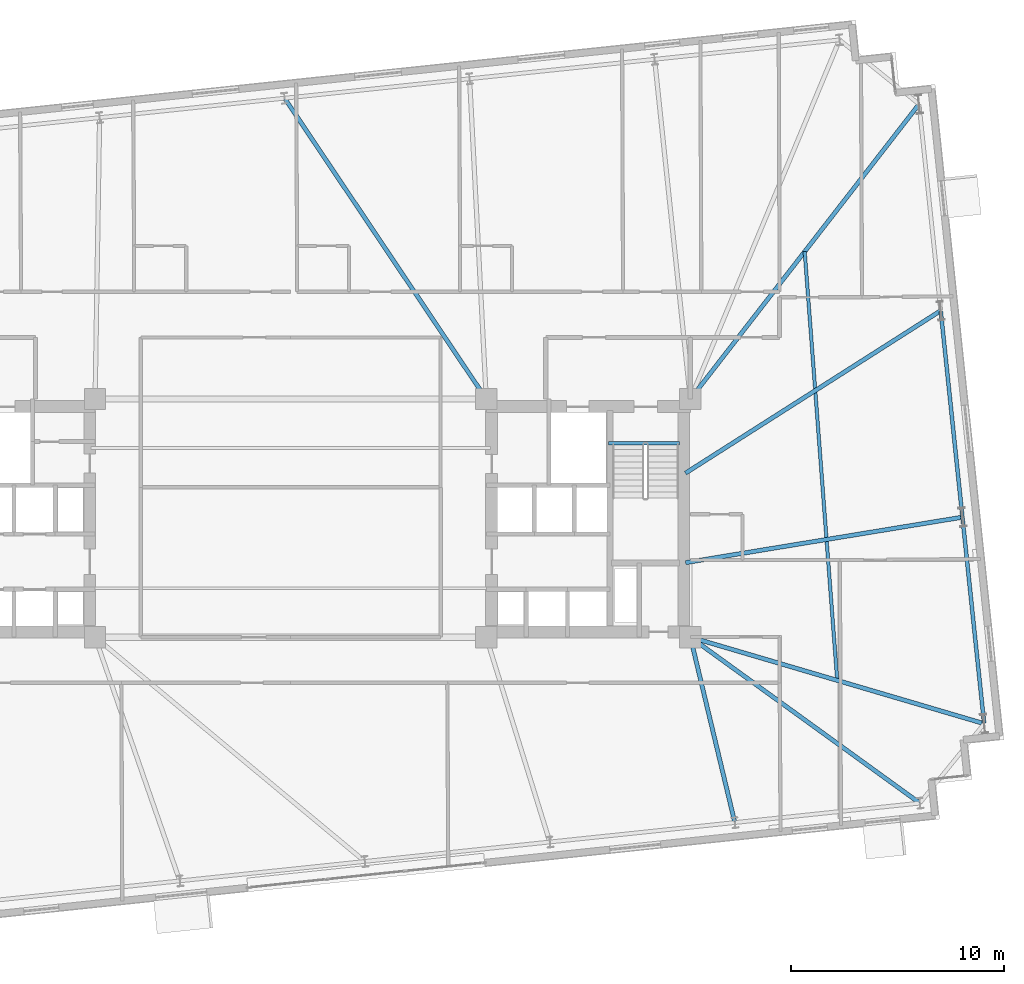
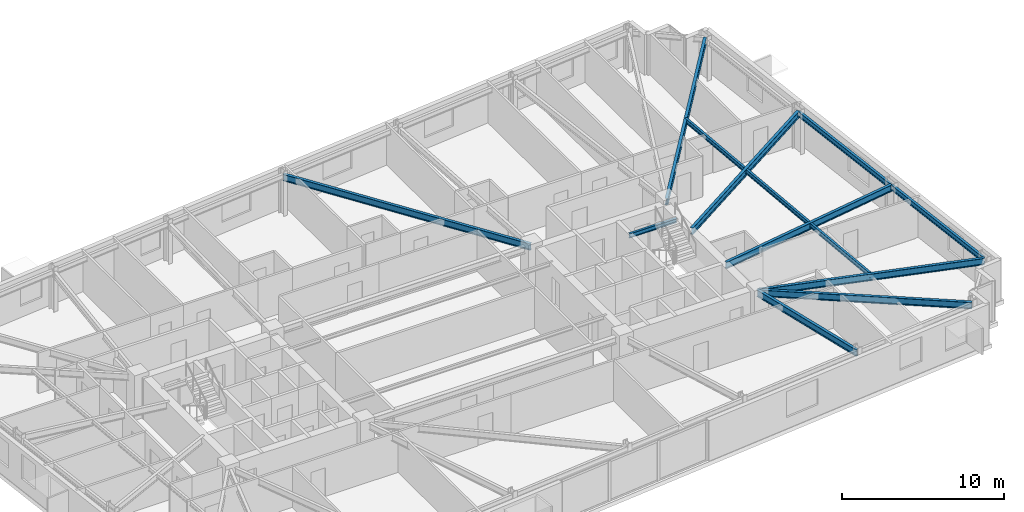
# One storey, part 11 of 23: 11 beams.
"""IFC4 building model written with IfcOpenShell, lengths in metres."""

from ifc_helpers import new_model, si_unit, direction, frame, origin, origin_2d, place, context, subcontext, project, spatial, i_section, extrude, material, material_profile, profile_set, type_object, element, save


model = new_model("IFC4")

# Units and contexts
model_context = context("Model", 3, precision=1e-05, world=origin(), true_north=direction((0.0, 1.0)))
body_context = subcontext(model_context, "Body", "Model", "MODEL_VIEW")
ifc_project = project(units=[si_unit("LENGTHUNIT", "METRE"), si_unit("AREAUNIT", "SQUARE_METRE"), si_unit("VOLUMEUNIT", "CUBIC_METRE"), si_unit("PLANEANGLEUNIT", "RADIAN"), si_unit("MASSUNIT", "GRAM", prefix="KILO")], contexts=[model_context])

# Site, building, storey
site_placement = place(None, origin())
site = spatial("IfcSite", under=ifc_project, at=site_placement, CompositionType="ELEMENT")
building_placement = place(site_placement, origin())
building = spatial("IfcBuilding", under=site, at=building_placement, Name="Qobustan Lattice House", CompositionType="ELEMENT")
storey_placement = place(building_placement, frame((0.0, 0.0, 102.449951171875)))
storey = spatial("IfcBuildingStorey", under=building, at=storey_placement, Name="L28", CompositionType="ELEMENT", Elevation=102.449951171875)

# Beams
ifc_material_1 = material(Name="Steel S355", Category="steel")
ifc_material_profile_1 = material_profile(ifc_material_1, i_section(OverallWidth=0.199951171875, OverallDepth=0.5, WebThickness=0.01025390625, FlangeThickness=0.01611328125, FilletRadius=0.02099609375, at=origin_2d()), Name="IPE500")
ifc_profile_set_1 = profile_set([ifc_material_profile_1], Name="Steel S355")
beam_type_1 = type_object("IfcBeamType", Name="BM-FLG-IPE500", PredefinedType="USERDEFINED", material=ifc_profile_set_1)
beam_1_placement = place(storey_placement, frame((20.885009765625, -14.297607421875, 2.795166015625), z_axis=(-0.233107910855, 0.97245087377, 0.0), x_axis=(-0.97245087377, -0.233107910855, 0.0)))
element("IfcBeam", 1, at=beam_1_placement, inside=storey, type_object=beam_type_1, Name="L28 primary floor girder RAD-S6", ObjectType="GIRDER", PredefinedType="USERDEFINED", context=body_context, shape_type="SweptSolid", body=[
    extrude(i_section(OverallWidth=0.199951171875, OverallDepth=0.5, WebThickness=0.01025390625, FlangeThickness=0.01611328125, FilletRadius=0.02099609375, at=origin_2d()), origin(), (0.0, 0.0, 1.0), 8.9189453125),
])
beam_2_placement = place(storey_placement, frame((29.572509765625, -13.392578125, 2.795166015625), z_axis=(-0.81023705091, 0.586102313024, 0.0), x_axis=(-0.586102313024, -0.81023705091, 0.0)))
element("IfcBeam", 2, at=beam_2_placement, inside=storey, type_object=beam_type_1, Name="L28 primary floor girder RAD-S7E", ObjectType="GIRDER", PredefinedType="USERDEFINED", context=body_context, shape_type="SweptSolid", body=[
    extrude(i_section(OverallWidth=0.199951171875, OverallDepth=0.5, WebThickness=0.01025390625, FlangeThickness=0.01611328125, FilletRadius=0.02099609375, at=origin_2d()), origin(), (0.0, 0.0, 1.0), 13.2705078125),
])
beam_3_placement = place(storey_placement, frame((-0.272705078125, 19.730224609375, 2.795166015625), z_axis=(0.556837669082, -0.830621339896, 0.0), x_axis=(0.830621339896, 0.556837669082, 0.0)))
element("IfcBeam", 3, at=beam_3_placement, inside=storey, type_object=beam_type_1, Name="L28 primary floor girder RAD-N4", ObjectType="GIRDER", PredefinedType="USERDEFINED", context=body_context, shape_type="SweptSolid", body=[
    extrude(i_section(OverallWidth=0.199951171875, OverallDepth=0.5, WebThickness=0.01025390625, FlangeThickness=0.01611328125, FilletRadius=0.02099609375, at=origin_2d()), origin(), (0.0, 0.0, 1.0), 16.986572265625),
])
beam_4_placement = place(storey_placement, frame((29.541015625, 19.44921875, 2.795166015625), z_axis=(-0.612860318028, -0.790191262029, 0.0), x_axis=(0.790191262029, -0.612860318028, 0.0)))
element("IfcBeam", 4, at=beam_4_placement, inside=storey, type_object=beam_type_1, Name="L28 primary floor girder RAD-E4", ObjectType="GIRDER", PredefinedType="USERDEFINED", context=body_context, shape_type="SweptSolid", body=[
    extrude(i_section(OverallWidth=0.199951171875, OverallDepth=0.5, WebThickness=0.01025390625, FlangeThickness=0.01611328125, FilletRadius=0.02099609375, at=origin_2d()), origin(), (0.0, 0.0, 1.0), 17.501220703125),
])
beam_5_placement = place(storey_placement, frame((30.555908203125, 9.742431640625, 2.795166015625), z_axis=(-0.843584351199, -0.536996687525, 0.0), x_axis=(0.536996687525, -0.843584351199, 0.0)))
element("IfcBeam", 5, at=beam_5_placement, inside=storey, type_object=beam_type_1, Name="L28 primary floor girder RAD-E3", ObjectType="GIRDER", PredefinedType="USERDEFINED", context=body_context, shape_type="SweptSolid", body=[
    extrude(i_section(OverallWidth=0.199951171875, OverallDepth=0.5, WebThickness=0.01025390625, FlangeThickness=0.01611328125, FilletRadius=0.02099609375, at=origin_2d()), origin(), (0.0, 0.0, 1.0), 14.20703125),
])
beam_6_placement = place(storey_placement, frame((31.5732421875, 0.03857421875, 2.795166015625), z_axis=(-0.986783828506, -0.162042203761, 0.0), x_axis=(0.162042203761, -0.986783828506, 0.0)))
element("IfcBeam", 6, at=beam_6_placement, inside=storey, type_object=beam_type_1, Name="L28 primary floor girder RAD-E2", ObjectType="GIRDER", PredefinedType="USERDEFINED", context=body_context, shape_type="SweptSolid", body=[
    extrude(i_section(OverallWidth=0.199951171875, OverallDepth=0.5, WebThickness=0.01025390625, FlangeThickness=0.01611328125, FilletRadius=0.02099609375, at=origin_2d()), origin(), (0.0, 0.0, 1.0), 13.172607421875),
])
beam_7_placement = place(storey_placement, frame((32.594970703125, -9.663330078125, 2.795166015625), z_axis=(-0.959254941513, 0.282541956499, 0.0), x_axis=(-0.282541956499, -0.959254941513, 0.0)))
element("IfcBeam", 7, at=beam_7_placement, inside=storey, type_object=beam_type_1, Name="L28 primary floor girder RAD-E1", ObjectType="GIRDER", PredefinedType="USERDEFINED", context=body_context, shape_type="SweptSolid", body=[
    extrude(i_section(OverallWidth=0.199951171875, OverallDepth=0.5, WebThickness=0.01025390625, FlangeThickness=0.01611328125, FilletRadius=0.02099609375, at=origin_2d()), origin(), (0.0, 0.0, 1.0), 14.35595703125),
])
ifc_material_2 = material(Name="Steel S355", Category="steel")
ifc_material_profile_2 = material_profile(ifc_material_2, i_section(OverallWidth=0.159912109375, OverallDepth=0.330078125, WebThickness=0.007568359375, FlangeThickness=0.011474609375, FilletRadius=0.01806640625, at=origin_2d()), Name="IPE330")
ifc_profile_set_2 = profile_set([ifc_material_profile_2], Name="Steel S355")
beam_type_2 = type_object("IfcBeamType", Name="BM-SEC-IPE330", PredefinedType="BEAM", material=ifc_profile_set_2)
beam_8_placement = place(storey_placement, frame((24.177978515625, 12.534423828125, 2.880126953125), z_axis=(0.075712576466, -0.997129683524, 0.0), x_axis=(0.997129683524, 0.075712576466, 0.0)))
element("IfcBeam", 8, at=beam_8_placement, inside=storey, type_object=beam_type_2, Name="L28 east wing secondary beam", PredefinedType="BEAM", context=body_context, shape_type="SweptSolid", body=[
    extrude(i_section(OverallWidth=0.159912109375, OverallDepth=0.330078125, WebThickness=0.007568359375, FlangeThickness=0.011474609375, FilletRadius=0.01806640625, at=origin_2d()), origin(), (0.0, 0.0, 1.0), 20.227783203125),
])
ifc_material_3 = material(Name="Steel S355", Category="steel")
ifc_material_profile_3 = material_profile(ifc_material_3, i_section(OverallWidth=0.159912109375, OverallDepth=0.330078125, WebThickness=0.007568359375, FlangeThickness=0.011474609375, FilletRadius=0.01806640625, at=origin_2d()), Name="IPE330")
ifc_profile_set_3 = profile_set([ifc_material_profile_3], Name="Steel S355")
beam_type_3 = type_object("IfcBeamType", Name="BM-SPD-IPE330", PredefinedType="SPANDREL", material=ifc_profile_set_3)
beam_9_placement = place(storey_placement, frame((14.949951171875, 3.52001953125, 2.880126953125), z_axis=(1.0, 0.0, 0.0), x_axis=(0.0, 1.0, 0.0)))
element("IfcBeam", 9, at=beam_9_placement, inside=storey, type_object=beam_type_3, Name="L28 east stair landing trimmer beam", PredefinedType="SPANDREL", context=body_context, shape_type="SweptSolid", body=[
    extrude(i_section(OverallWidth=0.159912109375, OverallDepth=0.330078125, WebThickness=0.007568359375, FlangeThickness=0.011474609375, FilletRadius=0.01806640625, at=origin_2d()), origin(), (0.0, 0.0, 1.0), 3.35009765625),
])
ifc_material_4 = material(Name="Steel S355", Category="steel")
ifc_material_profile_4 = material_profile(ifc_material_4, i_section(OverallWidth=0.179931640625, OverallDepth=0.39990234375, WebThickness=0.008544921875, FlangeThickness=0.013427734375, FilletRadius=0.02099609375, at=origin_2d()), Name="IPE400")
ifc_profile_set_4 = profile_set([ifc_material_profile_4], Name="Steel S355")
beam_type_4 = type_object("IfcBeamType", Name="BM-SPD-IPE400", PredefinedType="SPANDREL", material=ifc_profile_set_4)
for number, where, z_axis, x_axis, name in (
    (10, (32.6162109375, -9.6455078125, 2.844970703125), (-0.104525214252, 0.994522236848, 0.0), (-0.994522236848, -0.104525214252, 0.0), "L28 perimeter spandrel E1-E2"),
    (11, (31.595458984375, 0.067626953125, 2.844970703125), (-0.10455006589, 0.994519624604, 0.0), (-0.994519624604, -0.10455006589, 0.0), "L28 perimeter spandrel E2-E3"),
):
    element("IfcBeam", number, at=place(storey_placement, frame(where, z_axis=z_axis, x_axis=x_axis)), inside=storey, type_object=beam_type_4, Name=name, PredefinedType="SPANDREL", context=body_context, shape_type="SweptSolid", body=[
        extrude(i_section(OverallWidth=0.179931640625, OverallDepth=0.39990234375, WebThickness=0.008544921875, FlangeThickness=0.013427734375, FilletRadius=0.02099609375, at=origin_2d()), origin(), (0.0, 0.0, 1.0), 9.716552734375),
    ])

save(model, "model.ifc")
